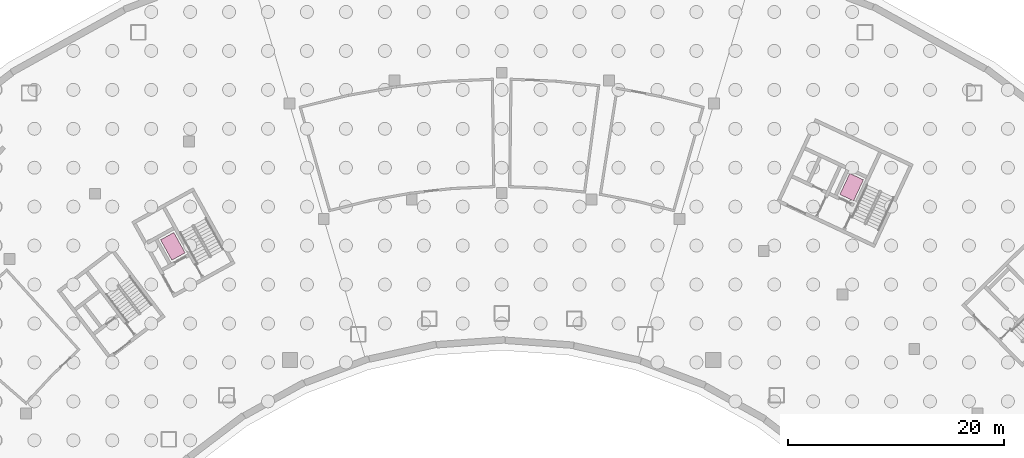
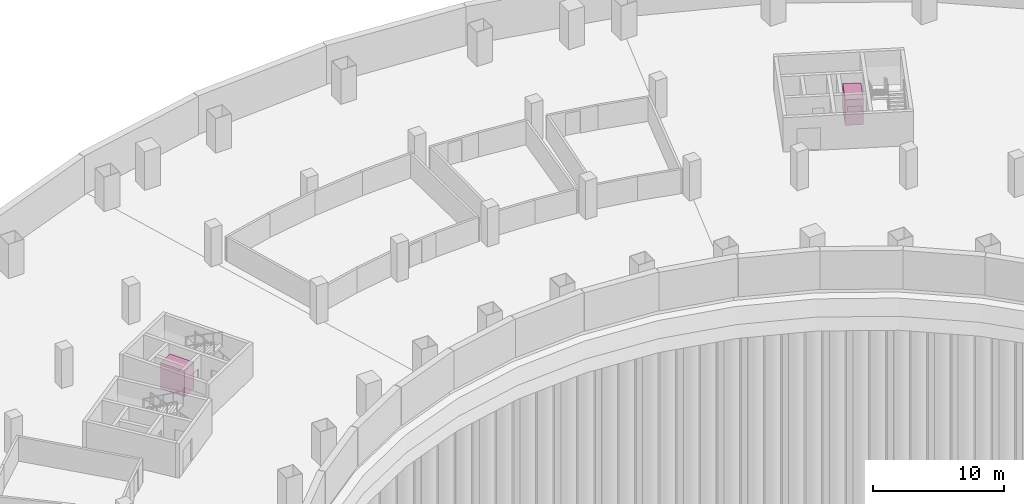
# One storey, part 10 of 10: 2 transport elements.
"""IFC4 building model written with IfcOpenShell, lengths in metres."""

import ifcopenshell
import ifcopenshell.guid

model = None  # the IFC model being written
_history = None  # IfcOwnerHistory: only IFC2X3 demands one
_inside = {}  # id of a spatial element -> (the spatial element, [elements in it])
_under = {}  # id of a project, library or spatial element -> (it, [spatial elements below it])
_declared = {}  # id of a project -> (the project, [libraries it declares])
_typed = {}  # id of a type object -> (the type object, [elements of that type])
_made_of = {}  # id of a material, layer set ... -> (it, [elements and type objects made of it])


def new_model(schema):
    """Start an empty IFC model of exactly this schema.

    Asked for "IFC4X3", IfcOpenShell would pick the latest addendum, in which some entities
    have other attributes; the version numbers below select the first issue.
    IFC2X3 requires an IfcOwnerHistory on every rooted entity: one is made here for all.
    """
    global model, _history
    if schema == "IFC4X3":
        model = ifcopenshell.file(schema_version=(4, 3, 0, 0))
    else:
        model = ifcopenshell.file(schema=schema)
    _inside.clear()
    _under.clear()
    _declared.clear()
    _typed.clear()
    _made_of.clear()
    _history = None
    if model.schema == "IFC2X3":
        org = make("IfcOrganization", Name="unknown")
        user = make(
            "IfcPersonAndOrganization",
            ThePerson=make("IfcPerson", FamilyName="unknown"),
            TheOrganization=org,
        )
        app = make(
            "IfcApplication",
            ApplicationDeveloper=org,
            Version="unknown",
            ApplicationFullName="unknown",
            ApplicationIdentifier="unknown",
        )
        _history = make(
            "IfcOwnerHistory",
            OwningUser=user,
            OwningApplication=app,
            ChangeAction="ADDED",
            CreationDate=0,
        )
    return model


def make(cls, **values):
    """One entity of the class cls with the attributes given. An attribute that is None is left unset."""
    return model.create_entity(
        cls, **{name: value for name, value in values.items() if value is not None}
    )


def rooted(cls, **values):
    """An entity with a GlobalId (a new one), such as an element, a storey or a relation."""
    return make(cls, GlobalId=ifcopenshell.guid.new(), OwnerHistory=_history, **values)


def si_unit(unit_type, name, prefix=None):
    """IfcSIUnit, for example si_unit("LENGTHUNIT", "METRE", prefix="MILLI")."""
    return make("IfcSIUnit", UnitType=unit_type, Prefix=prefix, Name=name)


def assignment(units):
    """IfcUnitAssignment: the units of a project."""
    return None if units is None else make("IfcUnitAssignment", Units=units)


def point(xyz):
    """IfcCartesianPoint."""
    return None if xyz is None else make("IfcCartesianPoint", Coordinates=xyz)


def direction(xyz):
    """IfcDirection."""
    return None if xyz is None else make("IfcDirection", DirectionRatios=xyz)


def frame(location, z_axis=None, x_axis=None):
    """IfcAxis2Placement3D, a coordinate frame: its origin and axes. An axis left out is left unset."""
    return make(
        "IfcAxis2Placement3D",
        Location=point(location),
        Axis=direction(z_axis),
        RefDirection=direction(x_axis),
    )


def frame_2d(location, x_axis=None):
    """IfcAxis2Placement2D, a coordinate frame in the plane: its origin and x axis."""
    return make(
        "IfcAxis2Placement2D", Location=point(location), RefDirection=direction(x_axis)
    )


def origin():
    """The frame at (0, 0, 0) with its axes left unset."""
    return frame((0.0, 0.0, 0.0))


def origin_2d():
    """The frame at (0, 0) in the plane with its x axis left unset."""
    return frame_2d((0.0, 0.0))


def place(relative_to, where):
    """IfcLocalPlacement: puts the frame where relative to a parent placement (None: the world)."""
    return make(
        "IfcLocalPlacement", PlacementRelTo=relative_to, RelativePlacement=where
    )


def context(
    kind, dimensions, precision=None, world=None, true_north=None, identifier=None
):
    """IfcGeometricRepresentationContext, for example the 3D "Model" context."""
    return make(
        "IfcGeometricRepresentationContext",
        ContextIdentifier=identifier,
        ContextType=kind,
        CoordinateSpaceDimension=dimensions,
        Precision=precision,
        WorldCoordinateSystem=world,
        TrueNorth=true_north,
    )


def subcontext(parent, identifier, kind, view, scale=None):
    """IfcGeometricRepresentationSubContext, for example "Body" below "Model"."""
    return make(
        "IfcGeometricRepresentationSubContext",
        ContextIdentifier=identifier,
        ContextType=kind,
        ParentContext=parent,
        TargetScale=scale,
        TargetView=view,
    )


def project(units=None, contexts=None):
    """IfcProject with its units and contexts."""
    return rooted(
        "IfcProject",
        Name="project",
        RepresentationContexts=contexts,
        UnitsInContext=assignment(units),
    )


def spatial(cls, under=None, at=None, **own):
    """A site, building, storey or space (cls), placed at a placement, below another one or the project."""
    s = rooted(cls, ObjectPlacement=at, **own)
    if under is not None:
        _under.setdefault(under.id(), (under, []))[1].append(s)
    return s


def profile(cls, at=None, kind="AREA", **sizes):
    """A parametric profile (cls). Its sizes go by their IFC names, for example OverallWidth=200.0."""
    return make(cls, ProfileType=kind, Position=at, **sizes)


def rectangle(**sizes):
    """IfcRectangleProfileDef."""
    return profile("IfcRectangleProfileDef", **sizes)


def extrude(swept, where, along, depth):
    """IfcExtrudedAreaSolid: the profile swept, set in the frame where, extruded along a direction by depth."""
    return make(
        "IfcExtrudedAreaSolid",
        SweptArea=swept,
        Position=where,
        ExtrudedDirection=direction(along),
        Depth=depth,
    )


def shape(context_of_items, identifier, shape_type, items):
    """IfcShapeRepresentation: the items that make up one representation, for example the "Body"."""
    return make(
        "IfcShapeRepresentation",
        ContextOfItems=context_of_items,
        RepresentationIdentifier=identifier,
        RepresentationType=shape_type,
        Items=items,
    )


def material(Name=None, Category=None):
    """IfcMaterial."""
    return make("IfcMaterial", Name=Name, Category=Category)


def made_of(thing, what):
    """Note that an element or type object is made of a material, layer set ...; save() writes the relation."""
    if what is not None:
        _made_of.setdefault(what.id(), (what, []))[1].append(thing)
    return thing


def type_object(cls, material=None, **own):
    """A type object (cls), such as IfcWallType, which elements share."""
    return made_of(rooted(cls, **own), material)


def element(
    cls,
    number,
    at=None,
    inside=None,
    cuts=None,
    type_object=None,
    material=None,
    context=None,
    identifier="Body",
    shape_type=None,
    held_by="IfcProductDefinitionShape",
    body=None,
    shapes=None,
    **own,
):
    """One element of the class cls, such as IfcWall. Its Tag is "e" and its number.

    at: its placement. inside: the storey or other place that contains it. cuts: it is an
    opening in that element (IfcRelVoidsElement). A single representation is given by context,
    identifier, shape_type and body (its items); several are given by shapes. held_by: the class
    of the entity that holds the representations. save() writes the other relations.
    """
    e = rooted(cls, Tag="e%d" % number, ObjectPlacement=at, **own)
    if body is not None:
        shapes = [shape(context, identifier, shape_type, body)]
    if shapes is not None:
        e.Representation = make(held_by, Representations=shapes)
    if inside is not None:
        _inside.setdefault(inside.id(), (inside, []))[1].append(e)
    if cuts is not None:
        rooted(
            "IfcRelVoidsElement", RelatingBuildingElement=cuts, RelatedOpeningElement=e
        )
    if type_object is not None:
        _typed.setdefault(type_object.id(), (type_object, []))[1].append(e)
    return made_of(e, material)


def aggregate(whole, parts):
    """IfcRelAggregates: a whole, such as a stair, and the parts it consists of."""
    return rooted("IfcRelAggregates", RelatingObject=whole, RelatedObjects=parts)


def save(model, path):
    """Write the relations noted so far, then the file.

    IfcRelAggregates (storeys below a building ...), IfcRelContainedInSpatialStructure (elements
    in a storey), IfcRelDefinesByType, IfcRelAssociatesMaterial and IfcRelDeclares: one each for
    every whole, place, type object, material and project.
    """
    for whole, parts in _under.values():
        aggregate(whole, parts)
    for where, things in _inside.values():
        rooted(
            "IfcRelContainedInSpatialStructure",
            RelatedElements=things,
            RelatingStructure=where,
        )
    for kind, things in _typed.values():
        rooted("IfcRelDefinesByType", RelatedObjects=things, RelatingType=kind)
    for what, things in _made_of.values():
        rooted("IfcRelAssociatesMaterial", RelatedObjects=things, RelatingMaterial=what)
    for by, libraries in _declared.values():
        rooted("IfcRelDeclares", RelatingContext=by, RelatedDefinitions=libraries)
    model.write(path)


model = new_model("IFC4")

# Units and contexts
model_context = context("Model", 3, precision=1e-05, world=origin(), true_north=direction((0.0, 1.0)))
body_context = subcontext(model_context, "Body", "Model", "MODEL_VIEW")
ifc_project = project(units=[si_unit("LENGTHUNIT", "METRE"), si_unit("AREAUNIT", "SQUARE_METRE"), si_unit("VOLUMEUNIT", "CUBIC_METRE"), si_unit("PLANEANGLEUNIT", "RADIAN"), si_unit("MASSUNIT", "GRAM", prefix="KILO")], contexts=[model_context])

# Site, building, storey
site_placement = place(None, origin())
site = spatial("IfcSite", under=ifc_project, at=site_placement, CompositionType="ELEMENT")
building_placement = place(site_placement, origin())
building = spatial("IfcBuilding", under=site, at=building_placement, Name="Tuul Gate Civic Tower", CompositionType="ELEMENT")
storey_placement = place(building_placement, frame((0.0, 0.0, -11.699951171875)))
storey = spatial("IfcBuildingStorey", under=building, at=storey_placement, Name="Basement 3", CompositionType="ELEMENT", Elevation=-11.699951171875)

# Transport elements
ifc_material = material(Name="Stainless steel", Category="steel")
transport_element_type = type_object("IfcTransportElementType", Name="Lift car", PredefinedType="ELEVATOR", material=ifc_material)
for number, where, z_axis, x_axis, name in (
    (1, (-30.40185546875, -7.267822265625, 0.0), (0.0, 0.0, 1.0), (-0.874635783554, -0.484780616492, 0.0), "Fire-fighting lift FF-1"),
    (2, (32.354736328125, -1.79541015625, 0.0), (0.0, 0.0, 1.0), (-0.906313687812, 0.422605607256, 0.0), "Fire-fighting lift FF-2"),
):
    element("IfcTransportElement", number, at=place(storey_placement, frame(where, z_axis=z_axis, x_axis=x_axis)), inside=storey, type_object=transport_element_type, Name=name, PredefinedType="ELEVATOR", context=body_context, shape_type="SweptSolid", body=[
        extrude(rectangle(XDim=1.39990234375, YDim=2.14990234375, at=origin_2d()), origin(), (0.0, 0.0, 1.0), 2.39990234375),
    ])

save(model, "model.ifc")
